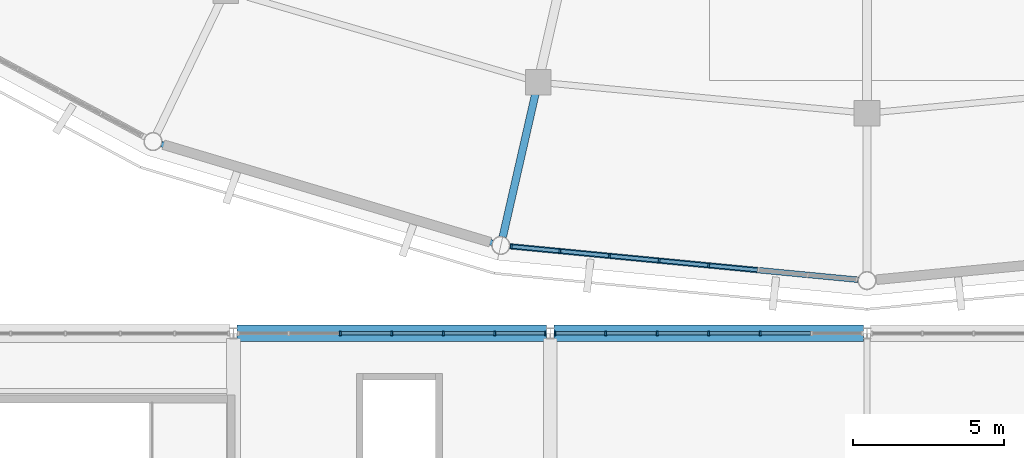
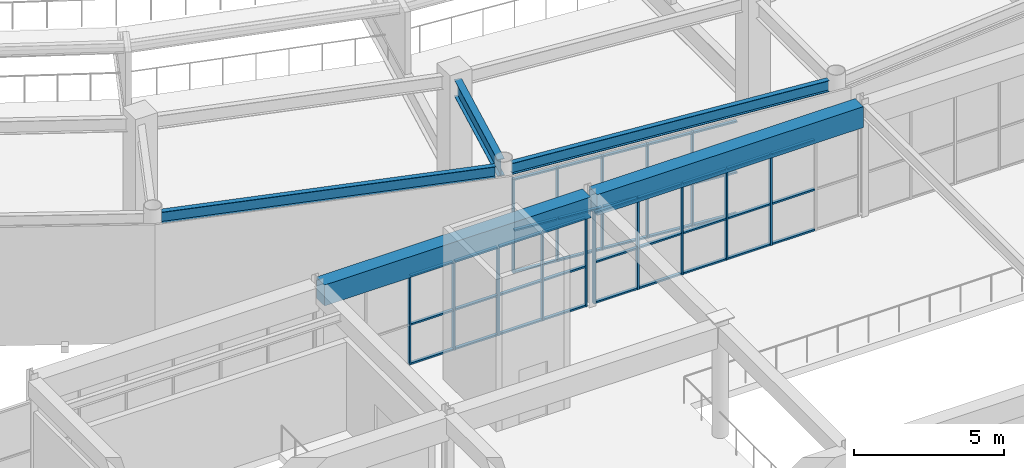
# One storey, part 32 of 122: 57 members, 5 beams, 3 elements without a shape of their own.
"""IFC4 building model written with IfcOpenShell, lengths in metres."""

from ifc_helpers import new_model, si_unit, direction, frame, origin, origin_2d, place, context, subcontext, project, spatial, rectangle, i_section, extrude, material, material_profile, profile_set, type_object, element, aggregate, save


model = new_model("IFC4")

# Units and contexts
model_context = context("Model", 3, precision=1e-05, world=origin(), true_north=direction((0.0, 1.0)))
body_context = subcontext(model_context, "Body", "Model", "MODEL_VIEW")
ifc_project = project(units=[si_unit("LENGTHUNIT", "METRE"), si_unit("AREAUNIT", "SQUARE_METRE"), si_unit("VOLUMEUNIT", "CUBIC_METRE"), si_unit("PLANEANGLEUNIT", "RADIAN"), si_unit("MASSUNIT", "GRAM", prefix="KILO")], contexts=[model_context])

# Site, building, storey
site_placement = place(None, origin())
site = spatial("IfcSite", under=ifc_project, at=site_placement, CompositionType="ELEMENT")
building_placement = place(site_placement, origin())
building = spatial("IfcBuilding", under=site, at=building_placement, Name="Cuetzalor Civic Arena", CompositionType="ELEMENT")
storey_placement = place(building_placement, frame((0.0, 0.0, 16.199951171875)))
storey = spatial("IfcBuildingStorey", under=building, at=storey_placement, Name="L03", CompositionType="ELEMENT", Elevation=16.199951171875)

# Beams
ifc_material_1 = material(Name="Concrete C40/50", Category="concrete")
ifc_material_profile_1 = material_profile(ifc_material_1, rectangle(XDim=0.550048828125, YDim=0.85009765625, at=origin_2d()), Name="RC 550x850")
ifc_profile_set_1 = profile_set([ifc_material_profile_1], Name="Concrete C40/50")
beam_type_1 = type_object("IfcBeamType", Name="ConcreteFrameBeam_550x850", PredefinedType="BEAM", material=ifc_profile_set_1)
for number, where, z_axis, x_axis, name in (
    (1, (-20.881591796875, -48.300048828125, 4.155029296875), (1.0, 0.0, 0.0), (0.0, 1.0, 0.0), "Frame Girder V3-L03-X0865"),
    (2, (-10.381591796875, -48.300048828125, 4.155029296875), (1.0, 0.0, 0.0), (0.0, 1.0, 0.0), "Frame Girder V3-L03-X0866"),
):
    element("IfcBeam", number, at=place(storey_placement, frame(where, z_axis=z_axis, x_axis=x_axis)), inside=storey, type_object=beam_type_1, Name=name, PredefinedType="BEAM", context=body_context, shape_type="SweptSolid", body=[
        extrude(rectangle(XDim=0.550048828125, YDim=0.85009765625, at=origin_2d()), origin(), (0.0, 0.0, 1.0), 10.26318359375),
    ])

# Curtain wall, members
ifc_material_2 = material(Name="Anodised dark bronze aluminium and low-E solar glass", Category="aluminium")
curtain_wall_type_1 = type_object("IfcCurtainWallType", Name="UnitisedCW_11550x3850", PredefinedType="USERDEFINED", material=ifc_material_2)
curtain_wall_1_placement = place(storey_placement, origin())
curtain_wall_1 = element("IfcCurtainWall", 3, at=curtain_wall_1_placement, inside=storey, type_object=curtain_wall_type_1, Name="Drum Triangle Foyer Curtain Wall L03-053", ObjectType="UNITISED CURTAIN WALL", PredefinedType="USERDEFINED")
ifc_material_3 = material(Name="Anodised dark bronze aluminium", Category="aluminium")
ifc_material_profile_2 = material_profile(ifc_material_3, rectangle(XDim=0.06494140625, YDim=0.14990234375, at=origin_2d()), Name="ALU MULLION 65x150")
ifc_profile_set_2 = profile_set([ifc_material_profile_2], Name="Anodised dark bronze aluminium")
member_type_1 = type_object("IfcMemberType", Name="CurtainWallMullion_60x150", PredefinedType="MULLION", material=ifc_profile_set_2)
member_1_placement = place(storey_placement, frame((-5.2470703125, -46.04541015625, 0.0), z_axis=(0.0, 0.0, 1.0), x_axis=(-0.995409139996, 0.095711253324, 0.0)))
member_1 = element("IfcMember", 4, at=member_1_placement, type_object=member_type_1, Name="CW-14 mullion 4", PredefinedType="MULLION", context=body_context, shape_type="SweptSolid", body=[
    extrude(rectangle(XDim=0.06494140625, YDim=0.14990234375, at=origin_2d()), origin(), (0.0, 0.0, 1.0), 3.83203125),
])
member_2_placement = place(storey_placement, frame((-6.8916015625, -45.887451171875, 0.0), z_axis=(0.0, 0.0, 1.0), x_axis=(-0.995409139996, 0.095711253324, 0.0)))
member_2 = element("IfcMember", 5, at=member_2_placement, type_object=member_type_1, Name="CW-14 mullion 5", PredefinedType="MULLION", context=body_context, shape_type="SweptSolid", body=[
    extrude(rectangle(XDim=0.06494140625, YDim=0.14990234375, at=origin_2d()), origin(), (0.0, 0.0, 1.0), 3.83203125),
])
member_3_placement = place(storey_placement, frame((-8.5361328125, -45.729248046875, 0.0), z_axis=(0.0, 0.0, 1.0), x_axis=(-0.995409139996, 0.095711253324, 0.0)))
member_3 = element("IfcMember", 6, at=member_3_placement, type_object=member_type_1, Name="CW-14 mullion 6", PredefinedType="MULLION", context=body_context, shape_type="SweptSolid", body=[
    extrude(rectangle(XDim=0.06494140625, YDim=0.14990234375, at=origin_2d()), origin(), (0.0, 0.0, 1.0), 3.83203125),
])
member_4_placement = place(storey_placement, frame((-10.1806640625, -45.571044921875, 0.0), z_axis=(0.0, 0.0, 1.0), x_axis=(-0.995409139996, 0.095711253324, 0.0)))
member_4 = element("IfcMember", 7, at=member_4_placement, type_object=member_type_1, Name="CW-14 mullion 7", PredefinedType="MULLION", context=body_context, shape_type="SweptSolid", body=[
    extrude(rectangle(XDim=0.06494140625, YDim=0.14990234375, at=origin_2d()), origin(), (0.0, 0.0, 1.0), 3.83203125),
])
member_5_placement = place(storey_placement, frame((-11.79296875, -45.416015625, 0.0), z_axis=(0.0, 0.0, 1.0), x_axis=(-0.995409139996, 0.095711253324, 0.0)))
member_5 = element("IfcMember", 8, at=member_5_placement, type_object=member_type_1, Name="CW-14 mullion 8", PredefinedType="MULLION", context=body_context, shape_type="SweptSolid", body=[
    extrude(rectangle(XDim=0.06494140625, YDim=0.14990234375, at=origin_2d()), origin(), (0.0, 0.0, 1.0), 3.83203125),
])

ifc_material_4 = material(Name="Anodised dark bronze aluminium and low-E solar glass", Category="aluminium")
curtain_wall_type_2 = type_object("IfcCurtainWallType", Name="StickCW_10250x3600", PredefinedType="USERDEFINED", material=ifc_material_4)
curtain_wall_2_placement = place(storey_placement, origin())
curtain_wall_2 = element("IfcCurtainWall", 9, at=curtain_wall_2_placement, inside=storey, type_object=curtain_wall_type_2, Name="Foyer North Clerestory Curtain Wall L03-094", ObjectType="STICK CURTAIN WALL", PredefinedType="USERDEFINED")
member_6_placement = place(storey_placement, frame((-17.45849609375, -48.300048828125, 0.0), z_axis=(0.0, 0.0, 1.0), x_axis=(1.0, 0.0, 0.0)))
member_6 = element("IfcMember", 10, at=member_6_placement, type_object=member_type_1, Name="CW-29 mullion 3", PredefinedType="MULLION", context=body_context, shape_type="SweptSolid", body=[
    extrude(rectangle(XDim=0.06494140625, YDim=0.14990234375, at=origin_2d()), origin(), (0.0, 0.0, 1.0), 3.6201171875),
])
member_7_placement = place(storey_placement, frame((-15.75, -48.300048828125, 0.0), z_axis=(0.0, 0.0, 1.0), x_axis=(1.0, 0.0, 0.0)))
member_7 = element("IfcMember", 11, at=member_7_placement, type_object=member_type_1, Name="CW-29 mullion 4", PredefinedType="MULLION", context=body_context, shape_type="SweptSolid", body=[
    extrude(rectangle(XDim=0.06494140625, YDim=0.14990234375, at=origin_2d()), origin(), (0.0, 0.0, 1.0), 3.6201171875),
])
member_8_placement = place(storey_placement, frame((-14.04150390625, -48.300048828125, 0.0), z_axis=(0.0, 0.0, 1.0), x_axis=(1.0, 0.0, 0.0)))
member_8 = element("IfcMember", 12, at=member_8_placement, type_object=member_type_1, Name="CW-29 mullion 5", PredefinedType="MULLION", context=body_context, shape_type="SweptSolid", body=[
    extrude(rectangle(XDim=0.06494140625, YDim=0.14990234375, at=origin_2d()), origin(), (0.0, 0.0, 1.0), 3.6201171875),
])
member_9_placement = place(storey_placement, frame((-12.3330078125, -48.300048828125, 0.0), z_axis=(0.0, 0.0, 1.0), x_axis=(1.0, 0.0, 0.0)))
member_9 = element("IfcMember", 13, at=member_9_placement, type_object=member_type_1, Name="CW-29 mullion 6", PredefinedType="MULLION", context=body_context, shape_type="SweptSolid", body=[
    extrude(rectangle(XDim=0.06494140625, YDim=0.14990234375, at=origin_2d()), origin(), (0.0, 0.0, 1.0), 3.6201171875),
])
member_10_placement = place(storey_placement, frame((-10.656982421875, -48.300048828125, 0.0), z_axis=(0.0, 0.0, 1.0), x_axis=(1.0, 0.0, 0.0)))
member_10 = element("IfcMember", 14, at=member_10_placement, type_object=member_type_1, Name="CW-29 mullion 7", PredefinedType="MULLION", context=body_context, shape_type="SweptSolid", body=[
    extrude(rectangle(XDim=0.06494140625, YDim=0.14990234375, at=origin_2d()), origin(), (0.0, 0.0, 1.0), 3.6201171875),
])

ifc_material_5 = material(Name="Anodised dark bronze aluminium and low-E solar glass", Category="aluminium")
curtain_wall_type_3 = type_object("IfcCurtainWallType", Name="StickCW_10250x3700", PredefinedType="USERDEFINED", material=ifc_material_5)
curtain_wall_3_placement = place(storey_placement, origin())
curtain_wall_3 = element("IfcCurtainWall", 15, at=curtain_wall_3_placement, inside=storey, type_object=curtain_wall_type_3, Name="Foyer North Clerestory Curtain Wall L03-096", ObjectType="STICK CURTAIN WALL", PredefinedType="USERDEFINED")
member_11_placement = place(storey_placement, frame((-10.343017578125, -48.300048828125, 0.0), z_axis=(0.0, 0.0, 1.0), x_axis=(1.0, 0.0, 0.0)))
member_11 = element("IfcMember", 16, at=member_11_placement, type_object=member_type_1, Name="CW-30 mullion 1", PredefinedType="MULLION", context=body_context, shape_type="SweptSolid", body=[
    extrude(rectangle(XDim=0.06494140625, YDim=0.14990234375, at=origin_2d()), origin(), (0.0, 0.0, 1.0), 3.719970703125),
])
member_12_placement = place(storey_placement, frame((-8.6669921875, -48.300048828125, 0.0), z_axis=(0.0, 0.0, 1.0), x_axis=(1.0, 0.0, 0.0)))
member_12 = element("IfcMember", 17, at=member_12_placement, type_object=member_type_1, Name="CW-30 mullion 2", PredefinedType="MULLION", context=body_context, shape_type="SweptSolid", body=[
    extrude(rectangle(XDim=0.06494140625, YDim=0.14990234375, at=origin_2d()), origin(), (0.0, 0.0, 1.0), 3.719970703125),
])
member_13_placement = place(storey_placement, frame((-6.95849609375, -48.300048828125, 0.0), z_axis=(0.0, 0.0, 1.0), x_axis=(1.0, 0.0, 0.0)))
member_13 = element("IfcMember", 18, at=member_13_placement, type_object=member_type_1, Name="CW-30 mullion 3", PredefinedType="MULLION", context=body_context, shape_type="SweptSolid", body=[
    extrude(rectangle(XDim=0.06494140625, YDim=0.14990234375, at=origin_2d()), origin(), (0.0, 0.0, 1.0), 3.719970703125),
])
member_14_placement = place(storey_placement, frame((-5.25, -48.300048828125, 0.0), z_axis=(0.0, 0.0, 1.0), x_axis=(1.0, 0.0, 0.0)))
member_14 = element("IfcMember", 19, at=member_14_placement, type_object=member_type_1, Name="CW-30 mullion 4", PredefinedType="MULLION", context=body_context, shape_type="SweptSolid", body=[
    extrude(rectangle(XDim=0.06494140625, YDim=0.14990234375, at=origin_2d()), origin(), (0.0, 0.0, 1.0), 3.719970703125),
])
member_15_placement = place(storey_placement, frame((-3.54150390625, -48.300048828125, 0.0), z_axis=(0.0, 0.0, 1.0), x_axis=(1.0, 0.0, 0.0)))
member_15 = element("IfcMember", 20, at=member_15_placement, type_object=member_type_1, Name="CW-30 mullion 5", PredefinedType="MULLION", context=body_context, shape_type="SweptSolid", body=[
    extrude(rectangle(XDim=0.06494140625, YDim=0.14990234375, at=origin_2d()), origin(), (0.0, 0.0, 1.0), 3.719970703125),
])

# Member
ifc_material_6 = material(Name="Anodised dark bronze aluminium", Category="aluminium")
ifc_material_profile_3 = material_profile(ifc_material_6, rectangle(XDim=0.1201171875, YDim=0.06494140625, at=origin_2d()), Name="ALU TRANSOM 65x120")
ifc_profile_set_3 = profile_set([ifc_material_profile_3], Name="Anodised dark bronze aluminium")
member_type_2 = type_object("IfcMemberType", Name="CurtainWallTransom_60x120", PredefinedType="USERDEFINED", material=ifc_profile_set_3)
member_16_placement = place(storey_placement, frame((-3.634765625, -46.200439453125, 0.032470703125), z_axis=(-0.995412128785, 0.095680164442, 0.0), x_axis=(-0.095680164442, -0.995412128785, 0.0)))
member_16 = element("IfcMember", 21, at=member_16_placement, type_object=member_type_2, Name="CW-14 transom 3.1", ObjectType="TRANSOM", PredefinedType="USERDEFINED", context=body_context, shape_type="SweptSolid", body=[
    extrude(rectangle(XDim=0.1201171875, YDim=0.06494140625, at=origin_2d()), origin(), (0.0, 0.0, 1.0), 1.587158203125),
])

member_17_placement = place(storey_placement, frame((-3.634765625, -46.200439453125, 1.72412109375), z_axis=(-0.995412128785, 0.095680164442, 0.0), x_axis=(-0.095680164442, -0.995412128785, 0.0)))
member_17 = element("IfcMember", 22, at=member_17_placement, type_object=member_type_2, Name="CW-14 transom 3.2", ObjectType="TRANSOM", PredefinedType="USERDEFINED", context=body_context, shape_type="SweptSolid", body=[
    extrude(rectangle(XDim=0.1201171875, YDim=0.06494140625, at=origin_2d()), origin(), (0.0, 0.0, 1.0), 1.587158203125),
])

member_18_placement = place(storey_placement, frame((-3.634765625, -46.200439453125, 3.799560546875), z_axis=(-0.995412128785, 0.095680164442, 0.0), x_axis=(-0.095680164442, -0.995412128785, 0.0)))
member_18 = element("IfcMember", 23, at=member_18_placement, type_object=member_type_2, Name="CW-14 transom 3.3", ObjectType="TRANSOM", PredefinedType="USERDEFINED", context=body_context, shape_type="SweptSolid", body=[
    extrude(rectangle(XDim=0.1201171875, YDim=0.06494140625, at=origin_2d()), origin(), (0.0, 0.0, 1.0), 1.587158203125),
])

member_19_placement = place(storey_placement, frame((-5.279296875, -46.04248046875, 0.032470703125), z_axis=(-0.9953974667, 0.095832579471, 0.0), x_axis=(-0.095832579471, -0.9953974667, 0.0)))
member_19 = element("IfcMember", 24, at=member_19_placement, type_object=member_type_2, Name="CW-14 transom 4.1", ObjectType="TRANSOM", PredefinedType="USERDEFINED", context=body_context, shape_type="SweptSolid", body=[
    extrude(rectangle(XDim=0.1201171875, YDim=0.06494140625, at=origin_2d()), origin(), (0.0, 0.0, 1.0), 1.587158203125),
])

member_20_placement = place(storey_placement, frame((-5.279296875, -46.04248046875, 1.72412109375), z_axis=(-0.9953974667, 0.095832579471, 0.0), x_axis=(-0.095832579471, -0.9953974667, 0.0)))
member_20 = element("IfcMember", 25, at=member_20_placement, type_object=member_type_2, Name="CW-14 transom 4.2", ObjectType="TRANSOM", PredefinedType="USERDEFINED", context=body_context, shape_type="SweptSolid", body=[
    extrude(rectangle(XDim=0.1201171875, YDim=0.06494140625, at=origin_2d()), origin(), (0.0, 0.0, 1.0), 1.587158203125),
])

member_21_placement = place(storey_placement, frame((-5.279296875, -46.04248046875, 3.799560546875), z_axis=(-0.9953974667, 0.095832579471, 0.0), x_axis=(-0.095832579471, -0.9953974667, 0.0)))
member_21 = element("IfcMember", 26, at=member_21_placement, type_object=member_type_2, Name="CW-14 transom 4.3", ObjectType="TRANSOM", PredefinedType="USERDEFINED", context=body_context, shape_type="SweptSolid", body=[
    extrude(rectangle(XDim=0.1201171875, YDim=0.06494140625, at=origin_2d()), origin(), (0.0, 0.0, 1.0), 1.587158203125),
])

member_22_placement = place(storey_placement, frame((-6.923828125, -45.88427734375, 0.032470703125), z_axis=(-0.995412128785, 0.095680164442, 0.0), x_axis=(-0.095680164442, -0.995412128785, 0.0)))
member_22 = element("IfcMember", 27, at=member_22_placement, type_object=member_type_2, Name="CW-14 transom 5.1", ObjectType="TRANSOM", PredefinedType="USERDEFINED", context=body_context, shape_type="SweptSolid", body=[
    extrude(rectangle(XDim=0.1201171875, YDim=0.06494140625, at=origin_2d()), origin(), (0.0, 0.0, 1.0), 1.587158203125),
])

member_23_placement = place(storey_placement, frame((-6.923828125, -45.88427734375, 1.72412109375), z_axis=(-0.995412128785, 0.095680164442, 0.0), x_axis=(-0.095680164442, -0.995412128785, 0.0)))
member_23 = element("IfcMember", 28, at=member_23_placement, type_object=member_type_2, Name="CW-14 transom 5.2", ObjectType="TRANSOM", PredefinedType="USERDEFINED", context=body_context, shape_type="SweptSolid", body=[
    extrude(rectangle(XDim=0.1201171875, YDim=0.06494140625, at=origin_2d()), origin(), (0.0, 0.0, 1.0), 1.587158203125),
])

member_24_placement = place(storey_placement, frame((-6.923828125, -45.88427734375, 3.799560546875), z_axis=(-0.995412128785, 0.095680164442, 0.0), x_axis=(-0.095680164442, -0.995412128785, 0.0)))
member_24 = element("IfcMember", 29, at=member_24_placement, type_object=member_type_2, Name="CW-14 transom 5.3", ObjectType="TRANSOM", PredefinedType="USERDEFINED", context=body_context, shape_type="SweptSolid", body=[
    extrude(rectangle(XDim=0.1201171875, YDim=0.06494140625, at=origin_2d()), origin(), (0.0, 0.0, 1.0), 1.587158203125),
])

member_25_placement = place(storey_placement, frame((-8.568359375, -45.72607421875, 0.032470703125), z_axis=(-0.995412128785, 0.095680164442, 0.0), x_axis=(-0.095680164442, -0.995412128785, 0.0)))
member_25 = element("IfcMember", 30, at=member_25_placement, type_object=member_type_2, Name="CW-14 transom 6.1", ObjectType="TRANSOM", PredefinedType="USERDEFINED", context=body_context, shape_type="SweptSolid", body=[
    extrude(rectangle(XDim=0.1201171875, YDim=0.06494140625, at=origin_2d()), origin(), (0.0, 0.0, 1.0), 1.587158203125),
])

member_26_placement = place(storey_placement, frame((-8.568359375, -45.72607421875, 1.72412109375), z_axis=(-0.995412128785, 0.095680164442, 0.0), x_axis=(-0.095680164442, -0.995412128785, 0.0)))
member_26 = element("IfcMember", 31, at=member_26_placement, type_object=member_type_2, Name="CW-14 transom 6.2", ObjectType="TRANSOM", PredefinedType="USERDEFINED", context=body_context, shape_type="SweptSolid", body=[
    extrude(rectangle(XDim=0.1201171875, YDim=0.06494140625, at=origin_2d()), origin(), (0.0, 0.0, 1.0), 1.587158203125),
])

member_27_placement = place(storey_placement, frame((-8.568359375, -45.72607421875, 3.799560546875), z_axis=(-0.995412128785, 0.095680164442, 0.0), x_axis=(-0.095680164442, -0.995412128785, 0.0)))
member_27 = element("IfcMember", 32, at=member_27_placement, type_object=member_type_2, Name="CW-14 transom 6.3", ObjectType="TRANSOM", PredefinedType="USERDEFINED", context=body_context, shape_type="SweptSolid", body=[
    extrude(rectangle(XDim=0.1201171875, YDim=0.06494140625, at=origin_2d()), origin(), (0.0, 0.0, 1.0), 1.587158203125),
])

member_28_placement = place(storey_placement, frame((-10.212890625, -45.568115234375, 0.032470703125), z_axis=(-0.995401833719, 0.095787209113, 0.0), x_axis=(-0.095787209113, -0.995401833719, 0.0)))
member_28 = element("IfcMember", 33, at=member_28_placement, type_object=member_type_2, Name="CW-14 transom 7.1", ObjectType="TRANSOM", PredefinedType="USERDEFINED", context=body_context, shape_type="SweptSolid", body=[
    extrude(rectangle(XDim=0.1201171875, YDim=0.06494140625, at=origin_2d()), origin(), (0.0, 0.0, 1.0), 1.5546875),
])

member_29_placement = place(storey_placement, frame((-10.212890625, -45.568115234375, 1.72412109375), z_axis=(-0.995401833719, 0.095787209113, 0.0), x_axis=(-0.095787209113, -0.995401833719, 0.0)))
member_29 = element("IfcMember", 34, at=member_29_placement, type_object=member_type_2, Name="CW-14 transom 7.2", ObjectType="TRANSOM", PredefinedType="USERDEFINED", context=body_context, shape_type="SweptSolid", body=[
    extrude(rectangle(XDim=0.1201171875, YDim=0.06494140625, at=origin_2d()), origin(), (0.0, 0.0, 1.0), 1.5546875),
])

member_30_placement = place(storey_placement, frame((-10.212890625, -45.568115234375, 3.799560546875), z_axis=(-0.995401833719, 0.095787209113, 0.0), x_axis=(-0.095787209113, -0.995401833719, 0.0)))
member_30 = element("IfcMember", 35, at=member_30_placement, type_object=member_type_2, Name="CW-14 transom 7.3", ObjectType="TRANSOM", PredefinedType="USERDEFINED", context=body_context, shape_type="SweptSolid", body=[
    extrude(rectangle(XDim=0.1201171875, YDim=0.06494140625, at=origin_2d()), origin(), (0.0, 0.0, 1.0), 1.5546875),
])

aggregate(curtain_wall_1, [member_1, member_2, member_3, member_4, member_5, member_16, member_17, member_18, member_19, member_20, member_21, member_22, member_23, member_24, member_25, member_26, member_27, member_28, member_29, member_30])

member_31_placement = place(storey_placement, frame((-17.426025390625, -48.300048828125, 0.032470703125), z_axis=(1.0, 0.0, 0.0), x_axis=(0.0, 1.0, 0.0)))
member_31 = element("IfcMember", 36, at=member_31_placement, type_object=member_type_2, Name="CW-29 transom 3.1", ObjectType="TRANSOM", PredefinedType="USERDEFINED", context=body_context, shape_type="SweptSolid", body=[
    extrude(rectangle(XDim=0.1201171875, YDim=0.06494140625, at=origin_2d()), origin(), (0.0, 0.0, 1.0), 1.6435546875),
])

member_32_placement = place(storey_placement, frame((-17.426025390625, -48.300048828125, 1.629150390625), z_axis=(1.0, 0.0, 0.0), x_axis=(0.0, 1.0, 0.0)))
member_32 = element("IfcMember", 37, at=member_32_placement, type_object=member_type_2, Name="CW-29 transom 3.2", ObjectType="TRANSOM", PredefinedType="USERDEFINED", context=body_context, shape_type="SweptSolid", body=[
    extrude(rectangle(XDim=0.1201171875, YDim=0.06494140625, at=origin_2d()), origin(), (0.0, 0.0, 1.0), 1.6435546875),
])

member_33_placement = place(storey_placement, frame((-17.426025390625, -48.300048828125, 3.587646484375), z_axis=(1.0, 0.0, 0.0), x_axis=(0.0, 1.0, 0.0)))
member_33 = element("IfcMember", 38, at=member_33_placement, type_object=member_type_2, Name="CW-29 transom 3.3", ObjectType="TRANSOM", PredefinedType="USERDEFINED", context=body_context, shape_type="SweptSolid", body=[
    extrude(rectangle(XDim=0.1201171875, YDim=0.06494140625, at=origin_2d()), origin(), (0.0, 0.0, 1.0), 1.6435546875),
])

member_34_placement = place(storey_placement, frame((-15.717529296875, -48.300048828125, 0.032470703125), z_axis=(1.0, 0.0, 0.0), x_axis=(0.0, 1.0, 0.0)))
member_34 = element("IfcMember", 39, at=member_34_placement, type_object=member_type_2, Name="CW-29 transom 4.1", ObjectType="TRANSOM", PredefinedType="USERDEFINED", context=body_context, shape_type="SweptSolid", body=[
    extrude(rectangle(XDim=0.1201171875, YDim=0.06494140625, at=origin_2d()), origin(), (0.0, 0.0, 1.0), 1.6435546875),
])

member_35_placement = place(storey_placement, frame((-15.717529296875, -48.300048828125, 1.629150390625), z_axis=(1.0, 0.0, 0.0), x_axis=(0.0, 1.0, 0.0)))
member_35 = element("IfcMember", 40, at=member_35_placement, type_object=member_type_2, Name="CW-29 transom 4.2", ObjectType="TRANSOM", PredefinedType="USERDEFINED", context=body_context, shape_type="SweptSolid", body=[
    extrude(rectangle(XDim=0.1201171875, YDim=0.06494140625, at=origin_2d()), origin(), (0.0, 0.0, 1.0), 1.6435546875),
])

member_36_placement = place(storey_placement, frame((-15.717529296875, -48.300048828125, 3.587646484375), z_axis=(1.0, 0.0, 0.0), x_axis=(0.0, 1.0, 0.0)))
member_36 = element("IfcMember", 41, at=member_36_placement, type_object=member_type_2, Name="CW-29 transom 4.3", ObjectType="TRANSOM", PredefinedType="USERDEFINED", context=body_context, shape_type="SweptSolid", body=[
    extrude(rectangle(XDim=0.1201171875, YDim=0.06494140625, at=origin_2d()), origin(), (0.0, 0.0, 1.0), 1.6435546875),
])

member_37_placement = place(storey_placement, frame((-14.009033203125, -48.300048828125, 0.032470703125), z_axis=(1.0, 0.0, 0.0), x_axis=(0.0, 1.0, 0.0)))
member_37 = element("IfcMember", 42, at=member_37_placement, type_object=member_type_2, Name="CW-29 transom 5.1", ObjectType="TRANSOM", PredefinedType="USERDEFINED", context=body_context, shape_type="SweptSolid", body=[
    extrude(rectangle(XDim=0.1201171875, YDim=0.06494140625, at=origin_2d()), origin(), (0.0, 0.0, 1.0), 1.6435546875),
])

member_38_placement = place(storey_placement, frame((-14.009033203125, -48.300048828125, 1.629150390625), z_axis=(1.0, 0.0, 0.0), x_axis=(0.0, 1.0, 0.0)))
member_38 = element("IfcMember", 43, at=member_38_placement, type_object=member_type_2, Name="CW-29 transom 5.2", ObjectType="TRANSOM", PredefinedType="USERDEFINED", context=body_context, shape_type="SweptSolid", body=[
    extrude(rectangle(XDim=0.1201171875, YDim=0.06494140625, at=origin_2d()), origin(), (0.0, 0.0, 1.0), 1.6435546875),
])

member_39_placement = place(storey_placement, frame((-14.009033203125, -48.300048828125, 3.587646484375), z_axis=(1.0, 0.0, 0.0), x_axis=(0.0, 1.0, 0.0)))
member_39 = element("IfcMember", 44, at=member_39_placement, type_object=member_type_2, Name="CW-29 transom 5.3", ObjectType="TRANSOM", PredefinedType="USERDEFINED", context=body_context, shape_type="SweptSolid", body=[
    extrude(rectangle(XDim=0.1201171875, YDim=0.06494140625, at=origin_2d()), origin(), (0.0, 0.0, 1.0), 1.6435546875),
])

member_40_placement = place(storey_placement, frame((-12.300537109375, -48.300048828125, 0.032470703125), z_axis=(1.0, 0.0, 0.0), x_axis=(0.0, 1.0, 0.0)))
member_40 = element("IfcMember", 45, at=member_40_placement, type_object=member_type_2, Name="CW-29 transom 6.1", ObjectType="TRANSOM", PredefinedType="USERDEFINED", context=body_context, shape_type="SweptSolid", body=[
    extrude(rectangle(XDim=0.1201171875, YDim=0.06494140625, at=origin_2d()), origin(), (0.0, 0.0, 1.0), 1.611083984375),
])

member_41_placement = place(storey_placement, frame((-12.300537109375, -48.300048828125, 1.629150390625), z_axis=(1.0, 0.0, 0.0), x_axis=(0.0, 1.0, 0.0)))
member_41 = element("IfcMember", 46, at=member_41_placement, type_object=member_type_2, Name="CW-29 transom 6.2", ObjectType="TRANSOM", PredefinedType="USERDEFINED", context=body_context, shape_type="SweptSolid", body=[
    extrude(rectangle(XDim=0.1201171875, YDim=0.06494140625, at=origin_2d()), origin(), (0.0, 0.0, 1.0), 1.611083984375),
])

member_42_placement = place(storey_placement, frame((-12.300537109375, -48.300048828125, 3.587646484375), z_axis=(1.0, 0.0, 0.0), x_axis=(0.0, 1.0, 0.0)))
member_42 = element("IfcMember", 47, at=member_42_placement, type_object=member_type_2, Name="CW-29 transom 6.3", ObjectType="TRANSOM", PredefinedType="USERDEFINED", context=body_context, shape_type="SweptSolid", body=[
    extrude(rectangle(XDim=0.1201171875, YDim=0.06494140625, at=origin_2d()), origin(), (0.0, 0.0, 1.0), 1.611083984375),
])

aggregate(curtain_wall_2, [member_6, member_7, member_8, member_9, member_10, member_31, member_32, member_33, member_34, member_35, member_36, member_37, member_38, member_39, member_40, member_41, member_42])

member_43_placement = place(storey_placement, frame((-10.310546875, -48.300048828125, 0.032470703125), z_axis=(1.0, 0.0, 0.0), x_axis=(0.0, 1.0, 0.0)))
member_43 = element("IfcMember", 48, at=member_43_placement, type_object=member_type_2, Name="CW-30 transom 1.1", ObjectType="TRANSOM", PredefinedType="USERDEFINED", context=body_context, shape_type="SweptSolid", body=[
    extrude(rectangle(XDim=0.1201171875, YDim=0.06494140625, at=origin_2d()), origin(), (0.0, 0.0, 1.0), 1.611083984375),
])

member_44_placement = place(storey_placement, frame((-10.310546875, -48.300048828125, 1.674072265625), z_axis=(1.0, 0.0, 0.0), x_axis=(0.0, 1.0, 0.0)))
member_44 = element("IfcMember", 49, at=member_44_placement, type_object=member_type_2, Name="CW-30 transom 1.2", ObjectType="TRANSOM", PredefinedType="USERDEFINED", context=body_context, shape_type="SweptSolid", body=[
    extrude(rectangle(XDim=0.1201171875, YDim=0.06494140625, at=origin_2d()), origin(), (0.0, 0.0, 1.0), 1.611083984375),
])

member_45_placement = place(storey_placement, frame((-10.310546875, -48.300048828125, 3.6875), z_axis=(1.0, 0.0, 0.0), x_axis=(0.0, 1.0, 0.0)))
member_45 = element("IfcMember", 50, at=member_45_placement, type_object=member_type_2, Name="CW-30 transom 1.3", ObjectType="TRANSOM", PredefinedType="USERDEFINED", context=body_context, shape_type="SweptSolid", body=[
    extrude(rectangle(XDim=0.1201171875, YDim=0.06494140625, at=origin_2d()), origin(), (0.0, 0.0, 1.0), 1.611083984375),
])

member_46_placement = place(storey_placement, frame((-8.634521484375, -48.300048828125, 0.032470703125), z_axis=(1.0, 0.0, 0.0), x_axis=(0.0, 1.0, 0.0)))
member_46 = element("IfcMember", 51, at=member_46_placement, type_object=member_type_2, Name="CW-30 transom 2.1", ObjectType="TRANSOM", PredefinedType="USERDEFINED", context=body_context, shape_type="SweptSolid", body=[
    extrude(rectangle(XDim=0.1201171875, YDim=0.06494140625, at=origin_2d()), origin(), (0.0, 0.0, 1.0), 1.6435546875),
])

member_47_placement = place(storey_placement, frame((-8.634521484375, -48.300048828125, 1.674072265625), z_axis=(1.0, 0.0, 0.0), x_axis=(0.0, 1.0, 0.0)))
member_47 = element("IfcMember", 52, at=member_47_placement, type_object=member_type_2, Name="CW-30 transom 2.2", ObjectType="TRANSOM", PredefinedType="USERDEFINED", context=body_context, shape_type="SweptSolid", body=[
    extrude(rectangle(XDim=0.1201171875, YDim=0.06494140625, at=origin_2d()), origin(), (0.0, 0.0, 1.0), 1.6435546875),
])

member_48_placement = place(storey_placement, frame((-8.634521484375, -48.300048828125, 3.6875), z_axis=(1.0, 0.0, 0.0), x_axis=(0.0, 1.0, 0.0)))
member_48 = element("IfcMember", 53, at=member_48_placement, type_object=member_type_2, Name="CW-30 transom 2.3", ObjectType="TRANSOM", PredefinedType="USERDEFINED", context=body_context, shape_type="SweptSolid", body=[
    extrude(rectangle(XDim=0.1201171875, YDim=0.06494140625, at=origin_2d()), origin(), (0.0, 0.0, 1.0), 1.6435546875),
])

member_49_placement = place(storey_placement, frame((-6.926025390625, -48.300048828125, 0.032470703125), z_axis=(1.0, 0.0, 0.0), x_axis=(0.0, 1.0, 0.0)))
member_49 = element("IfcMember", 54, at=member_49_placement, type_object=member_type_2, Name="CW-30 transom 3.1", ObjectType="TRANSOM", PredefinedType="USERDEFINED", context=body_context, shape_type="SweptSolid", body=[
    extrude(rectangle(XDim=0.1201171875, YDim=0.06494140625, at=origin_2d()), origin(), (0.0, 0.0, 1.0), 1.6435546875),
])

member_50_placement = place(storey_placement, frame((-6.926025390625, -48.300048828125, 1.674072265625), z_axis=(1.0, 0.0, 0.0), x_axis=(0.0, 1.0, 0.0)))
member_50 = element("IfcMember", 55, at=member_50_placement, type_object=member_type_2, Name="CW-30 transom 3.2", ObjectType="TRANSOM", PredefinedType="USERDEFINED", context=body_context, shape_type="SweptSolid", body=[
    extrude(rectangle(XDim=0.1201171875, YDim=0.06494140625, at=origin_2d()), origin(), (0.0, 0.0, 1.0), 1.6435546875),
])

member_51_placement = place(storey_placement, frame((-6.926025390625, -48.300048828125, 3.6875), z_axis=(1.0, 0.0, 0.0), x_axis=(0.0, 1.0, 0.0)))
member_51 = element("IfcMember", 56, at=member_51_placement, type_object=member_type_2, Name="CW-30 transom 3.3", ObjectType="TRANSOM", PredefinedType="USERDEFINED", context=body_context, shape_type="SweptSolid", body=[
    extrude(rectangle(XDim=0.1201171875, YDim=0.06494140625, at=origin_2d()), origin(), (0.0, 0.0, 1.0), 1.6435546875),
])

member_52_placement = place(storey_placement, frame((-5.217529296875, -48.300048828125, 0.032470703125), z_axis=(1.0, 0.0, 0.0), x_axis=(0.0, 1.0, 0.0)))
member_52 = element("IfcMember", 57, at=member_52_placement, type_object=member_type_2, Name="CW-30 transom 4.1", ObjectType="TRANSOM", PredefinedType="USERDEFINED", context=body_context, shape_type="SweptSolid", body=[
    extrude(rectangle(XDim=0.1201171875, YDim=0.06494140625, at=origin_2d()), origin(), (0.0, 0.0, 1.0), 1.6435546875),
])

member_53_placement = place(storey_placement, frame((-5.217529296875, -48.300048828125, 1.674072265625), z_axis=(1.0, 0.0, 0.0), x_axis=(0.0, 1.0, 0.0)))
member_53 = element("IfcMember", 58, at=member_53_placement, type_object=member_type_2, Name="CW-30 transom 4.2", ObjectType="TRANSOM", PredefinedType="USERDEFINED", context=body_context, shape_type="SweptSolid", body=[
    extrude(rectangle(XDim=0.1201171875, YDim=0.06494140625, at=origin_2d()), origin(), (0.0, 0.0, 1.0), 1.6435546875),
])

member_54_placement = place(storey_placement, frame((-5.217529296875, -48.300048828125, 3.6875), z_axis=(1.0, 0.0, 0.0), x_axis=(0.0, 1.0, 0.0)))
member_54 = element("IfcMember", 59, at=member_54_placement, type_object=member_type_2, Name="CW-30 transom 4.3", ObjectType="TRANSOM", PredefinedType="USERDEFINED", context=body_context, shape_type="SweptSolid", body=[
    extrude(rectangle(XDim=0.1201171875, YDim=0.06494140625, at=origin_2d()), origin(), (0.0, 0.0, 1.0), 1.6435546875),
])

member_55_placement = place(storey_placement, frame((-3.509033203125, -48.300048828125, 0.032470703125), z_axis=(1.0, 0.0, 0.0), x_axis=(0.0, 1.0, 0.0)))
member_55 = element("IfcMember", 60, at=member_55_placement, type_object=member_type_2, Name="CW-30 transom 5.1", ObjectType="TRANSOM", PredefinedType="USERDEFINED", context=body_context, shape_type="SweptSolid", body=[
    extrude(rectangle(XDim=0.1201171875, YDim=0.06494140625, at=origin_2d()), origin(), (0.0, 0.0, 1.0), 1.6435546875),
])

member_56_placement = place(storey_placement, frame((-3.509033203125, -48.300048828125, 1.674072265625), z_axis=(1.0, 0.0, 0.0), x_axis=(0.0, 1.0, 0.0)))
member_56 = element("IfcMember", 61, at=member_56_placement, type_object=member_type_2, Name="CW-30 transom 5.2", ObjectType="TRANSOM", PredefinedType="USERDEFINED", context=body_context, shape_type="SweptSolid", body=[
    extrude(rectangle(XDim=0.1201171875, YDim=0.06494140625, at=origin_2d()), origin(), (0.0, 0.0, 1.0), 1.6435546875),
])

member_57_placement = place(storey_placement, frame((-3.509033203125, -48.300048828125, 3.6875), z_axis=(1.0, 0.0, 0.0), x_axis=(0.0, 1.0, 0.0)))
member_57 = element("IfcMember", 62, at=member_57_placement, type_object=member_type_2, Name="CW-30 transom 5.3", ObjectType="TRANSOM", PredefinedType="USERDEFINED", context=body_context, shape_type="SweptSolid", body=[
    extrude(rectangle(XDim=0.1201171875, YDim=0.06494140625, at=origin_2d()), origin(), (0.0, 0.0, 1.0), 1.6435546875),
])

aggregate(curtain_wall_3, [member_11, member_12, member_13, member_14, member_15, member_43, member_44, member_45, member_46, member_47, member_48, member_49, member_50, member_51, member_52, member_53, member_54, member_55, member_56, member_57])

# Beams
ifc_material_7 = material(Name="Steel S355", Category="steel")
ifc_material_profile_4 = material_profile(ifc_material_7, i_section(OverallWidth=0.18994140625, OverallDepth=0.45703125, WebThickness=0.009033203125, FlangeThickness=0.014404296875, at=origin_2d()), Name="W460x74")
ifc_profile_set_4 = profile_set([ifc_material_profile_4], Name="Steel S355")
beam_type_2 = type_object("IfcBeamType", Name="FacadeSpandrelBeam_W460", PredefinedType="SPANDREL", material=ifc_profile_set_4)
beam_1_placement = place(storey_placement, frame((-23.390380859375, -42.023193359375, 4.29150390625), z_axis=(0.958199215373, -0.28610184141, 0.0), x_axis=(0.28610184141, 0.958199215373, 0.0)))
element("IfcBeam", 63, at=beam_1_placement, inside=storey, type_object=beam_type_2, Name="Drum Perimeter Spandrel L03-S20", PredefinedType="SPANDREL", context=body_context, shape_type="SweptSolid", body=[
    extrude(i_section(OverallWidth=0.18994140625, OverallDepth=0.45703125, WebThickness=0.009033203125, FlangeThickness=0.014404296875, at=origin_2d()), origin(), (0.0, 0.0, 1.0), 11.45263671875),
])
beam_2_placement = place(storey_placement, frame((-11.849853515625, -45.41064453125, 4.29150390625), z_axis=(0.995409568272, -0.095706799095, 0.0), x_axis=(0.095706799095, 0.995409568272, 0.0)))
element("IfcBeam", 64, at=beam_2_placement, inside=storey, type_object=beam_type_2, Name="Drum Perimeter Spandrel L03-S21", PredefinedType="SPANDREL", context=body_context, shape_type="SweptSolid", body=[
    extrude(i_section(OverallWidth=0.18994140625, OverallDepth=0.45703125, WebThickness=0.009033203125, FlangeThickness=0.014404296875, at=origin_2d()), origin(), (0.0, 0.0, 1.0), 11.6142578125),
])
ifc_material_8 = material(Name="Steel S355", Category="steel")
ifc_material_profile_5 = material_profile(ifc_material_8, i_section(OverallWidth=0.2529296875, OverallDepth=0.677978515625, WebThickness=0.01171875, FlangeThickness=0.016357421875, at=origin_2d()), Name="W690x125")
ifc_profile_set_5 = profile_set([ifc_material_profile_5], Name="Steel S355")
beam_type_3 = type_object("IfcBeamType", Name="SteelPrimaryGirder_W690", PredefinedType="BEAM", material=ifc_profile_set_5)
beam_3_placement = place(storey_placement, frame((-10.983642578125, -40.322998046875, 4.18115234375), z_axis=(-0.222519036633, -0.974928345231, 0.0), x_axis=(0.974928345231, -0.222519036633, 0.0)))
element("IfcBeam", 65, at=beam_3_placement, inside=storey, type_object=beam_type_3, Name="Drum Radial Girder L03-R21", PredefinedType="BEAM", context=body_context, shape_type="SweptSolid", body=[
    extrude(i_section(OverallWidth=0.2529296875, OverallDepth=0.677978515625, WebThickness=0.01171875, FlangeThickness=0.016357421875, at=origin_2d()), origin(), (0.0, 0.0, 1.0), 4.89990234375),
])

save(model, "model.ifc")
